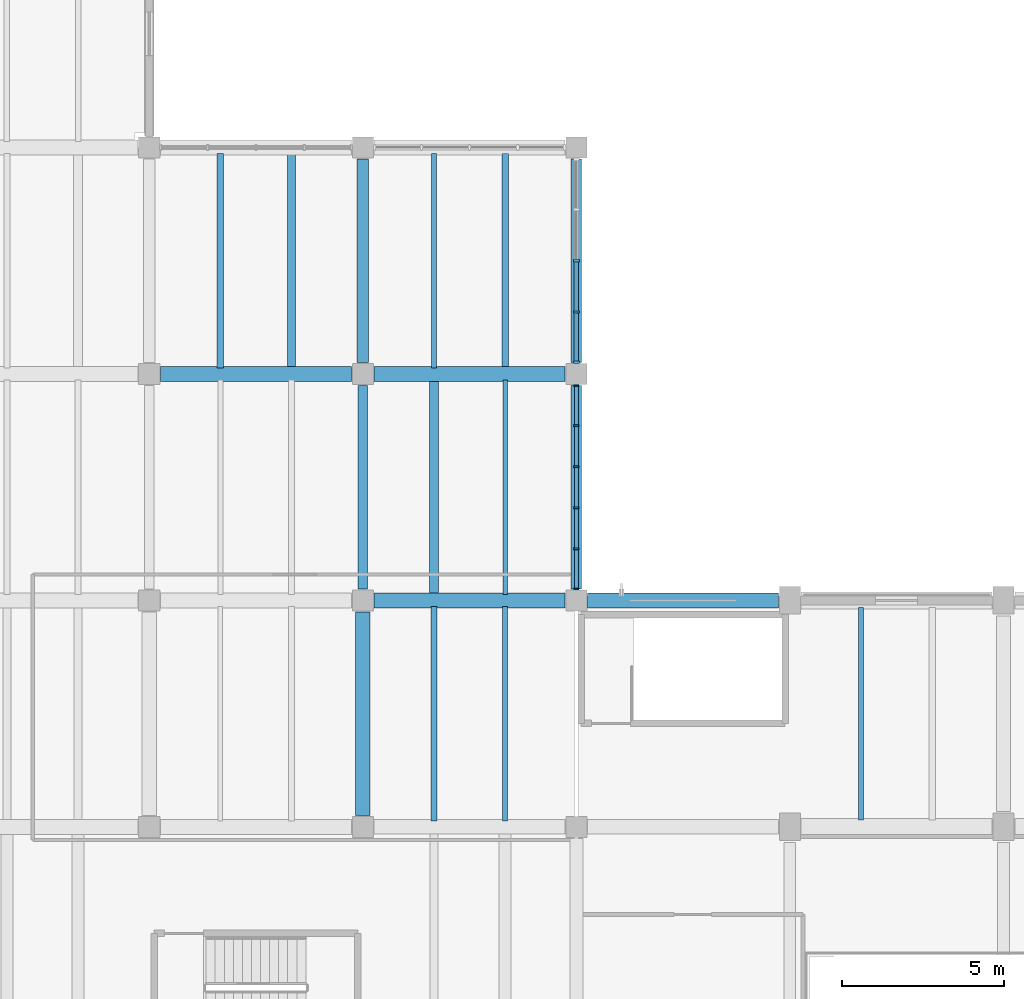
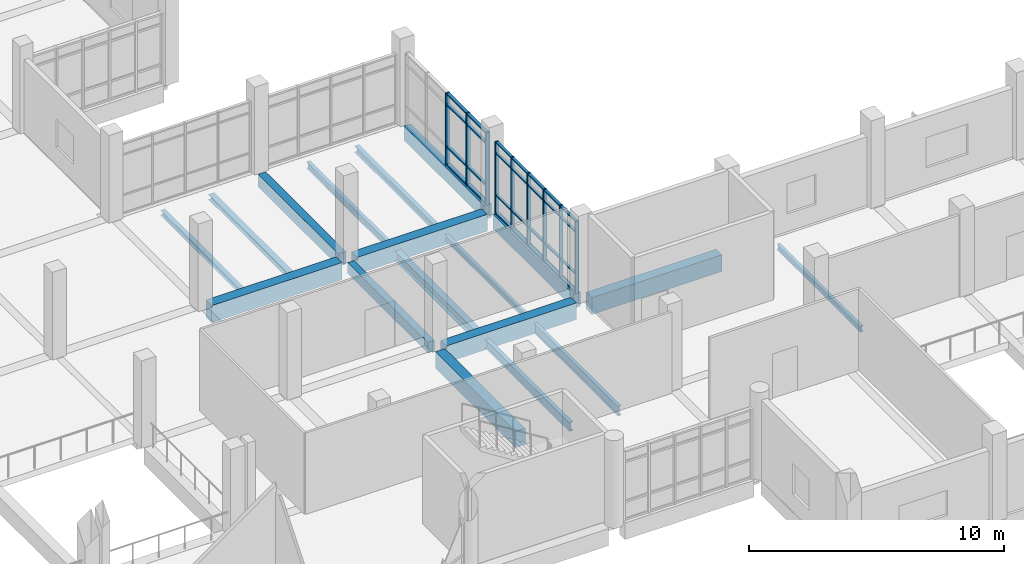
# One storey, part 16 of 68: 37 members, 18 beams, 2 elements without a shape of their own.
"""IFC4 building model written with IfcOpenShell, lengths in metres."""

from ifc_helpers import new_model, si_unit, direction, frame, origin, origin_2d, place, context, subcontext, project, spatial, rectangle, i_section, extrude, material, material_profile, profile_set, type_object, element, aggregate, save


model = new_model("IFC4")

# Units and contexts
model_context = context("Model", 3, precision=1e-05, world=origin(), true_north=direction((0.0, 1.0)))
body_context = subcontext(model_context, "Body", "Model", "MODEL_VIEW")
ifc_project = project(units=[si_unit("LENGTHUNIT", "METRE"), si_unit("AREAUNIT", "SQUARE_METRE"), si_unit("VOLUMEUNIT", "CUBIC_METRE"), si_unit("PLANEANGLEUNIT", "RADIAN"), si_unit("MASSUNIT", "GRAM", prefix="KILO")], contexts=[model_context])

# Site, building, storey
site_placement = place(None, origin())
site = spatial("IfcSite", under=ifc_project, at=site_placement, CompositionType="ELEMENT")
building_placement = place(site_placement, origin())
building = spatial("IfcBuilding", under=site, at=building_placement, Name="Ciguamira Faculty of Natural Sciences", CompositionType="ELEMENT")
storey_placement = place(building_placement, frame((0.0, 0.0, 4.199951171875)))
storey = spatial("IfcBuildingStorey", under=building, at=storey_placement, Name="L01", CompositionType="ELEMENT", Elevation=4.199951171875)

# Curtain wall, members
ifc_material_1 = material(Name="Anodized aluminium curtain wall", Category="aluminium")
curtain_wall_type_1 = type_object("IfcCurtainWallType", Name="CurtainWall_CW-04", PredefinedType="USERDEFINED", material=ifc_material_1)
curtain_wall_1_placement = place(storey_placement, origin())
curtain_wall_1 = element("IfcCurtainWall", 1, at=curtain_wall_1_placement, inside=storey, type_object=curtain_wall_type_1, Name="L01 unitised curtain wall 0052", ObjectType="UNITISED CURTAIN WALL", PredefinedType="USERDEFINED")
ifc_material_2 = material(Name="Anodized aluminium mullion", Category="aluminium")
ifc_material_profile_1 = material_profile(ifc_material_2, rectangle(XDim=0.06005859375, YDim=0.159912109375, at=origin_2d()), Name="ALU-MUL-60X160")
ifc_profile_set_1 = profile_set([ifc_material_profile_1], Name="Anodized aluminium mullion")
member_type_1 = type_object("IfcMemberType", Name="CWMullion_CWM-01", PredefinedType="MULLION", material=ifc_profile_set_1)
member_1_placement = place(storey_placement, frame((123.300048828125, 24.35498046875, 0.0), z_axis=(0.0, 0.0, 1.0), x_axis=(0.0, 1.0, 0.0)))
member_1 = element("IfcMember", 2, at=member_1_placement, type_object=member_type_1, Name="CW-04 mullion 1", PredefinedType="MULLION", context=body_context, shape_type="SweptSolid", body=[
    extrude(rectangle(XDim=0.06005859375, YDim=0.159912109375, at=origin_2d()), origin(), (0.0, 0.0, 1.0), 3.465087890625),
])
member_2_placement = place(storey_placement, frame((123.300048828125, 25.594970703125, 0.0), z_axis=(0.0, 0.0, 1.0), x_axis=(0.0, 1.0, 0.0)))
member_2 = element("IfcMember", 3, at=member_2_placement, type_object=member_type_1, Name="CW-04 mullion 2", PredefinedType="MULLION", context=body_context, shape_type="SweptSolid", body=[
    extrude(rectangle(XDim=0.06005859375, YDim=0.159912109375, at=origin_2d()), origin(), (0.0, 0.0, 1.0), 3.465087890625),
])
member_3_placement = place(storey_placement, frame((123.300048828125, 26.864990234375, 0.0), z_axis=(0.0, 0.0, 1.0), x_axis=(0.0, 1.0, 0.0)))
member_3 = element("IfcMember", 4, at=member_3_placement, type_object=member_type_1, Name="CW-04 mullion 3", PredefinedType="MULLION", context=body_context, shape_type="SweptSolid", body=[
    extrude(rectangle(XDim=0.06005859375, YDim=0.159912109375, at=origin_2d()), origin(), (0.0, 0.0, 1.0), 3.465087890625),
])
member_4_placement = place(storey_placement, frame((123.300048828125, 28.135009765625, 0.0), z_axis=(0.0, 0.0, 1.0), x_axis=(0.0, 1.0, 0.0)))
member_4 = element("IfcMember", 5, at=member_4_placement, type_object=member_type_1, Name="CW-04 mullion 4", PredefinedType="MULLION", context=body_context, shape_type="SweptSolid", body=[
    extrude(rectangle(XDim=0.06005859375, YDim=0.159912109375, at=origin_2d()), origin(), (0.0, 0.0, 1.0), 3.465087890625),
])
member_5_placement = place(storey_placement, frame((123.300048828125, 29.405029296875, 0.0), z_axis=(0.0, 0.0, 1.0), x_axis=(0.0, 1.0, 0.0)))
member_5 = element("IfcMember", 6, at=member_5_placement, type_object=member_type_1, Name="CW-04 mullion 5", PredefinedType="MULLION", context=body_context, shape_type="SweptSolid", body=[
    extrude(rectangle(XDim=0.06005859375, YDim=0.159912109375, at=origin_2d()), origin(), (0.0, 0.0, 1.0), 3.465087890625),
])
member_6_placement = place(storey_placement, frame((123.300048828125, 30.64501953125, 0.0), z_axis=(0.0, 0.0, 1.0), x_axis=(0.0, 1.0, 0.0)))
member_6 = element("IfcMember", 7, at=member_6_placement, type_object=member_type_1, Name="CW-04 mullion 6", PredefinedType="MULLION", context=body_context, shape_type="SweptSolid", body=[
    extrude(rectangle(XDim=0.06005859375, YDim=0.159912109375, at=origin_2d()), origin(), (0.0, 0.0, 1.0), 3.465087890625),
])

curtain_wall_type_2 = type_object("IfcCurtainWallType", Name="CurtainWall_CW-05", PredefinedType="USERDEFINED", material=ifc_material_1)
curtain_wall_2_placement = place(storey_placement, origin())
curtain_wall_2 = element("IfcCurtainWall", 8, at=curtain_wall_2_placement, inside=storey, type_object=curtain_wall_type_2, Name="L01 unitised curtain wall 0053", ObjectType="UNITISED CURTAIN WALL", PredefinedType="USERDEFINED")
ifc_material_profile_2 = material_profile(ifc_material_2, rectangle(XDim=0.070068359375, YDim=0.179931640625, at=origin_2d()), Name="ALU-MUL-70X180")
ifc_profile_set_2 = profile_set([ifc_material_profile_2], Name="Anodized aluminium mullion")
member_type_2 = type_object("IfcMemberType", Name="CWMullion_CWM-02", PredefinedType="MULLION", material=ifc_profile_set_2)
member_7_placement = place(storey_placement, frame((123.300048828125, 31.360107421875, 0.0), z_axis=(0.0, 0.0, 1.0), x_axis=(0.0, 1.0, 0.0)))
member_7 = element("IfcMember", 9, at=member_7_placement, type_object=member_type_2, Name="CW-05 mullion 1", PredefinedType="MULLION", context=body_context, shape_type="SweptSolid", body=[
    extrude(rectangle(XDim=0.070068359375, YDim=0.179931640625, at=origin_2d()), origin(), (0.0, 0.0, 1.0), 3.465087890625),
])
member_8_placement = place(storey_placement, frame((123.300048828125, 32.91259765625, 0.0), z_axis=(0.0, 0.0, 1.0), x_axis=(0.0, 1.0, 0.0)))
member_8 = element("IfcMember", 10, at=member_8_placement, type_object=member_type_2, Name="CW-05 mullion 2", PredefinedType="MULLION", context=body_context, shape_type="SweptSolid", body=[
    extrude(rectangle(XDim=0.070068359375, YDim=0.179931640625, at=origin_2d()), origin(), (0.0, 0.0, 1.0), 3.465087890625),
])
member_9_placement = place(storey_placement, frame((123.300048828125, 34.5, 0.0), z_axis=(0.0, 0.0, 1.0), x_axis=(0.0, 1.0, 0.0)))
member_9 = element("IfcMember", 11, at=member_9_placement, type_object=member_type_2, Name="CW-05 mullion 3", PredefinedType="MULLION", context=body_context, shape_type="SweptSolid", body=[
    extrude(rectangle(XDim=0.070068359375, YDim=0.179931640625, at=origin_2d()), origin(), (0.0, 0.0, 1.0), 3.465087890625),
])

# Member
ifc_material_3 = material(Name="Anodized aluminium transom", Category="aluminium")
ifc_material_profile_3 = material_profile(ifc_material_3, rectangle(XDim=0.06005859375, YDim=0.1201171875, at=origin_2d()), Name="ALU-TRN-60X120")
ifc_profile_set_3 = profile_set([ifc_material_profile_3], Name="Anodized aluminium transom")
member_type_3 = type_object("IfcMemberType", Name="CWTransom_CWT-01", PredefinedType="USERDEFINED", material=ifc_profile_set_3)
member_10_placement = place(storey_placement, frame((123.300048828125, 24.385009765625, 0.030029296875), z_axis=(0.0, 1.0, 0.0), x_axis=(0.0, 0.0, 1.0)))
member_10 = element("IfcMember", 12, at=member_10_placement, type_object=member_type_3, Name="CW-04 transom 1.1", ObjectType="TRANSOM", PredefinedType="USERDEFINED", context=body_context, shape_type="SweptSolid", body=[
    extrude(rectangle(XDim=0.06005859375, YDim=0.1201171875, at=origin_2d()), origin(), (0.0, 0.0, 1.0), 1.179931640625),
])

member_11_placement = place(storey_placement, frame((123.300048828125, 24.385009765625, 0.900146484375), z_axis=(0.0, 1.0, 0.0), x_axis=(0.0, 0.0, 1.0)))
member_11 = element("IfcMember", 13, at=member_11_placement, type_object=member_type_3, Name="CW-04 transom 1.2", ObjectType="TRANSOM", PredefinedType="USERDEFINED", context=body_context, shape_type="SweptSolid", body=[
    extrude(rectangle(XDim=0.06005859375, YDim=0.1201171875, at=origin_2d()), origin(), (0.0, 0.0, 1.0), 1.179931640625),
])

member_12_placement = place(storey_placement, frame((123.300048828125, 24.385009765625, 2.9150390625), z_axis=(0.0, 1.0, 0.0), x_axis=(0.0, 0.0, 1.0)))
member_12 = element("IfcMember", 14, at=member_12_placement, type_object=member_type_3, Name="CW-04 transom 1.3", ObjectType="TRANSOM", PredefinedType="USERDEFINED", context=body_context, shape_type="SweptSolid", body=[
    extrude(rectangle(XDim=0.06005859375, YDim=0.1201171875, at=origin_2d()), origin(), (0.0, 0.0, 1.0), 1.179931640625),
])

member_13_placement = place(storey_placement, frame((123.300048828125, 24.385009765625, 3.43505859375), z_axis=(0.0, 1.0, 0.0), x_axis=(0.0, 0.0, 1.0)))
member_13 = element("IfcMember", 15, at=member_13_placement, type_object=member_type_3, Name="CW-04 transom 1.4", ObjectType="TRANSOM", PredefinedType="USERDEFINED", context=body_context, shape_type="SweptSolid", body=[
    extrude(rectangle(XDim=0.06005859375, YDim=0.1201171875, at=origin_2d()), origin(), (0.0, 0.0, 1.0), 1.179931640625),
])

member_14_placement = place(storey_placement, frame((123.300048828125, 25.625, 0.030029296875), z_axis=(0.0, 1.0, 0.0), x_axis=(0.0, 0.0, 1.0)))
member_14 = element("IfcMember", 16, at=member_14_placement, type_object=member_type_3, Name="CW-04 transom 2.1", ObjectType="TRANSOM", PredefinedType="USERDEFINED", context=body_context, shape_type="SweptSolid", body=[
    extrude(rectangle(XDim=0.06005859375, YDim=0.1201171875, at=origin_2d()), origin(), (0.0, 0.0, 1.0), 1.2099609375),
])

member_15_placement = place(storey_placement, frame((123.300048828125, 25.625, 0.900146484375), z_axis=(0.0, 1.0, 0.0), x_axis=(0.0, 0.0, 1.0)))
member_15 = element("IfcMember", 17, at=member_15_placement, type_object=member_type_3, Name="CW-04 transom 2.2", ObjectType="TRANSOM", PredefinedType="USERDEFINED", context=body_context, shape_type="SweptSolid", body=[
    extrude(rectangle(XDim=0.06005859375, YDim=0.1201171875, at=origin_2d()), origin(), (0.0, 0.0, 1.0), 1.2099609375),
])

member_16_placement = place(storey_placement, frame((123.300048828125, 25.625, 2.9150390625), z_axis=(0.0, 1.0, 0.0), x_axis=(0.0, 0.0, 1.0)))
member_16 = element("IfcMember", 18, at=member_16_placement, type_object=member_type_3, Name="CW-04 transom 2.3", ObjectType="TRANSOM", PredefinedType="USERDEFINED", context=body_context, shape_type="SweptSolid", body=[
    extrude(rectangle(XDim=0.06005859375, YDim=0.1201171875, at=origin_2d()), origin(), (0.0, 0.0, 1.0), 1.2099609375),
])

member_17_placement = place(storey_placement, frame((123.300048828125, 25.625, 3.43505859375), z_axis=(0.0, 1.0, 0.0), x_axis=(0.0, 0.0, 1.0)))
member_17 = element("IfcMember", 19, at=member_17_placement, type_object=member_type_3, Name="CW-04 transom 2.4", ObjectType="TRANSOM", PredefinedType="USERDEFINED", context=body_context, shape_type="SweptSolid", body=[
    extrude(rectangle(XDim=0.06005859375, YDim=0.1201171875, at=origin_2d()), origin(), (0.0, 0.0, 1.0), 1.2099609375),
])

member_18_placement = place(storey_placement, frame((123.300048828125, 26.89501953125, 0.030029296875), z_axis=(0.0, 1.0, 0.0), x_axis=(0.0, 0.0, 1.0)))
member_18 = element("IfcMember", 20, at=member_18_placement, type_object=member_type_3, Name="CW-04 transom 3.1", ObjectType="TRANSOM", PredefinedType="USERDEFINED", context=body_context, shape_type="SweptSolid", body=[
    extrude(rectangle(XDim=0.06005859375, YDim=0.1201171875, at=origin_2d()), origin(), (0.0, 0.0, 1.0), 1.2099609375),
])

member_19_placement = place(storey_placement, frame((123.300048828125, 26.89501953125, 0.900146484375), z_axis=(0.0, 1.0, 0.0), x_axis=(0.0, 0.0, 1.0)))
member_19 = element("IfcMember", 21, at=member_19_placement, type_object=member_type_3, Name="CW-04 transom 3.2", ObjectType="TRANSOM", PredefinedType="USERDEFINED", context=body_context, shape_type="SweptSolid", body=[
    extrude(rectangle(XDim=0.06005859375, YDim=0.1201171875, at=origin_2d()), origin(), (0.0, 0.0, 1.0), 1.2099609375),
])

member_20_placement = place(storey_placement, frame((123.300048828125, 26.89501953125, 2.9150390625), z_axis=(0.0, 1.0, 0.0), x_axis=(0.0, 0.0, 1.0)))
member_20 = element("IfcMember", 22, at=member_20_placement, type_object=member_type_3, Name="CW-04 transom 3.3", ObjectType="TRANSOM", PredefinedType="USERDEFINED", context=body_context, shape_type="SweptSolid", body=[
    extrude(rectangle(XDim=0.06005859375, YDim=0.1201171875, at=origin_2d()), origin(), (0.0, 0.0, 1.0), 1.2099609375),
])

member_21_placement = place(storey_placement, frame((123.300048828125, 26.89501953125, 3.43505859375), z_axis=(0.0, 1.0, 0.0), x_axis=(0.0, 0.0, 1.0)))
member_21 = element("IfcMember", 23, at=member_21_placement, type_object=member_type_3, Name="CW-04 transom 3.4", ObjectType="TRANSOM", PredefinedType="USERDEFINED", context=body_context, shape_type="SweptSolid", body=[
    extrude(rectangle(XDim=0.06005859375, YDim=0.1201171875, at=origin_2d()), origin(), (0.0, 0.0, 1.0), 1.2099609375),
])

member_22_placement = place(storey_placement, frame((123.300048828125, 28.1650390625, 0.030029296875), z_axis=(0.0, 1.0, 0.0), x_axis=(0.0, 0.0, 1.0)))
member_22 = element("IfcMember", 24, at=member_22_placement, type_object=member_type_3, Name="CW-04 transom 4.1", ObjectType="TRANSOM", PredefinedType="USERDEFINED", context=body_context, shape_type="SweptSolid", body=[
    extrude(rectangle(XDim=0.06005859375, YDim=0.1201171875, at=origin_2d()), origin(), (0.0, 0.0, 1.0), 1.2099609375),
])

member_23_placement = place(storey_placement, frame((123.300048828125, 28.1650390625, 0.900146484375), z_axis=(0.0, 1.0, 0.0), x_axis=(0.0, 0.0, 1.0)))
member_23 = element("IfcMember", 25, at=member_23_placement, type_object=member_type_3, Name="CW-04 transom 4.2", ObjectType="TRANSOM", PredefinedType="USERDEFINED", context=body_context, shape_type="SweptSolid", body=[
    extrude(rectangle(XDim=0.06005859375, YDim=0.1201171875, at=origin_2d()), origin(), (0.0, 0.0, 1.0), 1.2099609375),
])

member_24_placement = place(storey_placement, frame((123.300048828125, 28.1650390625, 2.9150390625), z_axis=(0.0, 1.0, 0.0), x_axis=(0.0, 0.0, 1.0)))
member_24 = element("IfcMember", 26, at=member_24_placement, type_object=member_type_3, Name="CW-04 transom 4.3", ObjectType="TRANSOM", PredefinedType="USERDEFINED", context=body_context, shape_type="SweptSolid", body=[
    extrude(rectangle(XDim=0.06005859375, YDim=0.1201171875, at=origin_2d()), origin(), (0.0, 0.0, 1.0), 1.2099609375),
])

member_25_placement = place(storey_placement, frame((123.300048828125, 28.1650390625, 3.43505859375), z_axis=(0.0, 1.0, 0.0), x_axis=(0.0, 0.0, 1.0)))
member_25 = element("IfcMember", 27, at=member_25_placement, type_object=member_type_3, Name="CW-04 transom 4.4", ObjectType="TRANSOM", PredefinedType="USERDEFINED", context=body_context, shape_type="SweptSolid", body=[
    extrude(rectangle(XDim=0.06005859375, YDim=0.1201171875, at=origin_2d()), origin(), (0.0, 0.0, 1.0), 1.2099609375),
])

member_26_placement = place(storey_placement, frame((123.300048828125, 29.43505859375, 0.030029296875), z_axis=(0.0, 1.0, 0.0), x_axis=(0.0, 0.0, 1.0)))
member_26 = element("IfcMember", 28, at=member_26_placement, type_object=member_type_3, Name="CW-04 transom 5.1", ObjectType="TRANSOM", PredefinedType="USERDEFINED", context=body_context, shape_type="SweptSolid", body=[
    extrude(rectangle(XDim=0.06005859375, YDim=0.1201171875, at=origin_2d()), origin(), (0.0, 0.0, 1.0), 1.179931640625),
])

member_27_placement = place(storey_placement, frame((123.300048828125, 29.43505859375, 0.900146484375), z_axis=(0.0, 1.0, 0.0), x_axis=(0.0, 0.0, 1.0)))
member_27 = element("IfcMember", 29, at=member_27_placement, type_object=member_type_3, Name="CW-04 transom 5.2", ObjectType="TRANSOM", PredefinedType="USERDEFINED", context=body_context, shape_type="SweptSolid", body=[
    extrude(rectangle(XDim=0.06005859375, YDim=0.1201171875, at=origin_2d()), origin(), (0.0, 0.0, 1.0), 1.179931640625),
])

member_28_placement = place(storey_placement, frame((123.300048828125, 29.43505859375, 2.9150390625), z_axis=(0.0, 1.0, 0.0), x_axis=(0.0, 0.0, 1.0)))
member_28 = element("IfcMember", 30, at=member_28_placement, type_object=member_type_3, Name="CW-04 transom 5.3", ObjectType="TRANSOM", PredefinedType="USERDEFINED", context=body_context, shape_type="SweptSolid", body=[
    extrude(rectangle(XDim=0.06005859375, YDim=0.1201171875, at=origin_2d()), origin(), (0.0, 0.0, 1.0), 1.179931640625),
])

member_29_placement = place(storey_placement, frame((123.300048828125, 29.43505859375, 3.43505859375), z_axis=(0.0, 1.0, 0.0), x_axis=(0.0, 0.0, 1.0)))
member_29 = element("IfcMember", 31, at=member_29_placement, type_object=member_type_3, Name="CW-04 transom 5.4", ObjectType="TRANSOM", PredefinedType="USERDEFINED", context=body_context, shape_type="SweptSolid", body=[
    extrude(rectangle(XDim=0.06005859375, YDim=0.1201171875, at=origin_2d()), origin(), (0.0, 0.0, 1.0), 1.179931640625),
])

aggregate(curtain_wall_1, [member_1, member_2, member_3, member_4, member_5, member_6, member_10, member_11, member_12, member_13, member_14, member_15, member_16, member_17, member_18, member_19, member_20, member_21, member_22, member_23, member_24, member_25, member_26, member_27, member_28, member_29])

ifc_material_profile_4 = material_profile(ifc_material_3, rectangle(XDim=0.070068359375, YDim=0.139892578125, at=origin_2d()), Name="ALU-TRN-70X140")
ifc_profile_set_4 = profile_set([ifc_material_profile_4], Name="Anodized aluminium transom")
member_type_4 = type_object("IfcMemberType", Name="CWTransom_CWT-02", PredefinedType="USERDEFINED", material=ifc_profile_set_4)
member_30_placement = place(storey_placement, frame((123.300048828125, 31.39501953125, 0.03515625), z_axis=(0.0, 1.0, 0.0), x_axis=(0.0, 0.0, 1.0)))
member_30 = element("IfcMember", 32, at=member_30_placement, type_object=member_type_4, Name="CW-05 transom 1.1", ObjectType="TRANSOM", PredefinedType="USERDEFINED", context=body_context, shape_type="SweptSolid", body=[
    extrude(rectangle(XDim=0.070068359375, YDim=0.139892578125, at=origin_2d()), origin(), (0.0, 0.0, 1.0), 1.482421875),
])

member_31_placement = place(storey_placement, frame((123.300048828125, 31.39501953125, 0.900146484375), z_axis=(0.0, 1.0, 0.0), x_axis=(0.0, 0.0, 1.0)))
member_31 = element("IfcMember", 33, at=member_31_placement, type_object=member_type_4, Name="CW-05 transom 1.2", ObjectType="TRANSOM", PredefinedType="USERDEFINED", context=body_context, shape_type="SweptSolid", body=[
    extrude(rectangle(XDim=0.070068359375, YDim=0.139892578125, at=origin_2d()), origin(), (0.0, 0.0, 1.0), 1.482421875),
])

member_32_placement = place(storey_placement, frame((123.300048828125, 31.39501953125, 2.9150390625), z_axis=(0.0, 1.0, 0.0), x_axis=(0.0, 0.0, 1.0)))
member_32 = element("IfcMember", 34, at=member_32_placement, type_object=member_type_4, Name="CW-05 transom 1.3", ObjectType="TRANSOM", PredefinedType="USERDEFINED", context=body_context, shape_type="SweptSolid", body=[
    extrude(rectangle(XDim=0.070068359375, YDim=0.139892578125, at=origin_2d()), origin(), (0.0, 0.0, 1.0), 1.482421875),
])

member_33_placement = place(storey_placement, frame((123.300048828125, 31.39501953125, 3.429931640625), z_axis=(0.0, 1.0, 0.0), x_axis=(0.0, 0.0, 1.0)))
member_33 = element("IfcMember", 35, at=member_33_placement, type_object=member_type_4, Name="CW-05 transom 1.4", ObjectType="TRANSOM", PredefinedType="USERDEFINED", context=body_context, shape_type="SweptSolid", body=[
    extrude(rectangle(XDim=0.070068359375, YDim=0.139892578125, at=origin_2d()), origin(), (0.0, 0.0, 1.0), 1.482421875),
])

member_34_placement = place(storey_placement, frame((123.300048828125, 32.947509765625, 0.03515625), z_axis=(0.0, 1.0, 0.0), x_axis=(0.0, 0.0, 1.0)))
member_34 = element("IfcMember", 36, at=member_34_placement, type_object=member_type_4, Name="CW-05 transom 2.1", ObjectType="TRANSOM", PredefinedType="USERDEFINED", context=body_context, shape_type="SweptSolid", body=[
    extrude(rectangle(XDim=0.070068359375, YDim=0.139892578125, at=origin_2d()), origin(), (0.0, 0.0, 1.0), 1.517578125),
])

member_35_placement = place(storey_placement, frame((123.300048828125, 32.947509765625, 0.900146484375), z_axis=(0.0, 1.0, 0.0), x_axis=(0.0, 0.0, 1.0)))
member_35 = element("IfcMember", 37, at=member_35_placement, type_object=member_type_4, Name="CW-05 transom 2.2", ObjectType="TRANSOM", PredefinedType="USERDEFINED", context=body_context, shape_type="SweptSolid", body=[
    extrude(rectangle(XDim=0.070068359375, YDim=0.139892578125, at=origin_2d()), origin(), (0.0, 0.0, 1.0), 1.517578125),
])

member_36_placement = place(storey_placement, frame((123.300048828125, 32.947509765625, 2.9150390625), z_axis=(0.0, 1.0, 0.0), x_axis=(0.0, 0.0, 1.0)))
member_36 = element("IfcMember", 38, at=member_36_placement, type_object=member_type_4, Name="CW-05 transom 2.3", ObjectType="TRANSOM", PredefinedType="USERDEFINED", context=body_context, shape_type="SweptSolid", body=[
    extrude(rectangle(XDim=0.070068359375, YDim=0.139892578125, at=origin_2d()), origin(), (0.0, 0.0, 1.0), 1.517578125),
])

member_37_placement = place(storey_placement, frame((123.300048828125, 32.947509765625, 3.429931640625), z_axis=(0.0, 1.0, 0.0), x_axis=(0.0, 0.0, 1.0)))
member_37 = element("IfcMember", 39, at=member_37_placement, type_object=member_type_4, Name="CW-05 transom 2.4", ObjectType="TRANSOM", PredefinedType="USERDEFINED", context=body_context, shape_type="SweptSolid", body=[
    extrude(rectangle(XDim=0.070068359375, YDim=0.139892578125, at=origin_2d()), origin(), (0.0, 0.0, 1.0), 1.517578125),
])

aggregate(curtain_wall_2, [member_7, member_8, member_9, member_30, member_31, member_32, member_33, member_34, member_35, member_36, member_37])

# Beams
ifc_material_4 = material(Name="Concrete C40/50", Category="concrete")
ifc_material_profile_5 = material_profile(ifc_material_4, rectangle(XDim=0.4599609375, YDim=0.820068359375, at=origin_2d()), Name="RC-BM-460X820")
ifc_profile_set_5 = profile_set([ifc_material_profile_5], Name="Concrete C40/50")
beam_type_1 = type_object("IfcBeamType", Name="RCBeam_BG-04_RC-BM-460X820", PredefinedType="BEAM", material=ifc_profile_set_5)
beam_1_placement = place(storey_placement, frame((110.449951171875, 31.0, -0.409912109375), z_axis=(1.0, 0.0, 0.0), x_axis=(0.0, 1.0, 0.0)))
element("IfcBeam", 40, at=beam_1_placement, inside=storey, type_object=beam_type_1, Name="L01 RC girder EW-0444", PredefinedType="BEAM", context=body_context, shape_type="SweptSolid", body=[
    extrude(rectangle(XDim=0.4599609375, YDim=0.820068359375, at=origin_2d()), origin(), (0.0, 0.0, 1.0), 5.900146484375),
])
ifc_material_profile_6 = material_profile(ifc_material_4, rectangle(XDim=0.449951171875, YDim=0.800048828125, at=origin_2d()), Name="RC-BM-450X800")
ifc_profile_set_6 = profile_set([ifc_material_profile_6], Name="Concrete C40/50")
beam_type_2 = type_object("IfcBeamType", Name="RCBeam_BG-05_RC-BM-450X800", PredefinedType="BEAM", material=ifc_profile_set_6)
beam_2_placement = place(storey_placement, frame((117.050048828125, 24.0, -0.39990234375), z_axis=(1.0, 0.0, 0.0), x_axis=(0.0, 1.0, 0.0)))
element("IfcBeam", 41, at=beam_2_placement, inside=storey, type_object=beam_type_2, Name="L01 RC girder EW-0427", PredefinedType="BEAM", context=body_context, shape_type="SweptSolid", body=[
    extrude(rectangle(XDim=0.449951171875, YDim=0.800048828125, at=origin_2d()), origin(), (0.0, 0.0, 1.0), 5.89990234375),
])
beam_3_placement = place(storey_placement, frame((123.64990234375, 24.0, -0.39990234375), z_axis=(1.0, 0.0, 0.0), x_axis=(0.0, 1.0, 0.0)))
element("IfcBeam", 42, at=beam_3_placement, inside=storey, type_object=beam_type_2, Name="L01 RC girder EW-0428", PredefinedType="BEAM", context=body_context, shape_type="SweptSolid", body=[
    extrude(rectangle(XDim=0.449951171875, YDim=0.800048828125, at=origin_2d()), origin(), (0.0, 0.0, 1.0), 5.900146484375),
])
beam_4_placement = place(storey_placement, frame((117.050048828125, 31.0, -0.39990234375), z_axis=(1.0, 0.0, 0.0), x_axis=(0.0, 1.0, 0.0)))
element("IfcBeam", 43, at=beam_4_placement, inside=storey, type_object=beam_type_2, Name="L01 RC girder EW-0445", PredefinedType="BEAM", context=body_context, shape_type="SweptSolid", body=[
    extrude(rectangle(XDim=0.449951171875, YDim=0.800048828125, at=origin_2d()), origin(), (0.0, 0.0, 1.0), 5.89990234375),
])
ifc_material_profile_7 = material_profile(ifc_material_4, rectangle(XDim=0.43994140625, YDim=0.780029296875, at=origin_2d()), Name="RC-BM-440X780")
ifc_profile_set_7 = profile_set([ifc_material_profile_7], Name="Concrete C40/50")
beam_type_3 = type_object("IfcBeamType", Name="RCBeam_BG-06_RC-BM-440X780", PredefinedType="BEAM", material=ifc_profile_set_7)
beam_5_placement = place(storey_placement, frame((116.699951171875, 17.35009765625, -0.389892578125), z_axis=(0.0, 1.0, 0.0), x_axis=(-1.0, 0.0, 0.0)))
element("IfcBeam", 44, at=beam_5_placement, inside=storey, type_object=beam_type_3, Name="L01 girder NS-0677", PredefinedType="BEAM", context=body_context, shape_type="SweptSolid", body=[
    extrude(rectangle(XDim=0.43994140625, YDim=0.780029296875, at=origin_2d()), origin(), (0.0, 0.0, 1.0), 6.2998046875),
])
ifc_material_profile_8 = material_profile(ifc_material_4, rectangle(XDim=0.35009765625, YDim=0.60009765625, at=origin_2d()), Name="RC-BM-350X600")
ifc_profile_set_8 = profile_set([ifc_material_profile_8], Name="Concrete C40/50")
beam_type_4 = type_object("IfcBeamType", Name="RCBeam_BG-11_RC-BM-350X600", PredefinedType="BEAM", material=ifc_profile_set_8)
beam_6_placement = place(storey_placement, frame((116.699951171875, 31.35009765625, -0.300048828125), z_axis=(0.0, 1.0, 0.0), x_axis=(-1.0, 0.0, 0.0)))
element("IfcBeam", 45, at=beam_6_placement, inside=storey, type_object=beam_type_4, Name="L01 girder NS-0679", PredefinedType="BEAM", context=body_context, shape_type="SweptSolid", body=[
    extrude(rectangle(XDim=0.35009765625, YDim=0.60009765625, at=origin_2d()), origin(), (0.0, 0.0, 1.0), 6.2998046875),
])
ifc_material_profile_9 = material_profile(ifc_material_4, rectangle(XDim=0.300048828125, YDim=0.52001953125, at=origin_2d()), Name="RC-BM-300X520")
ifc_profile_set_9 = profile_set([ifc_material_profile_9], Name="Concrete C40/50")
beam_type_5 = type_object("IfcBeamType", Name="RCBeam_BG-13_RC-BM-300X520", PredefinedType="BEAM", material=ifc_profile_set_9)
beam_7_placement = place(storey_placement, frame((116.699951171875, 24.35009765625, -0.260009765625), z_axis=(0.0, 1.0, 0.0), x_axis=(-1.0, 0.0, 0.0)))
element("IfcBeam", 46, at=beam_7_placement, inside=storey, type_object=beam_type_5, Name="L01 girder NS-0678", PredefinedType="BEAM", context=body_context, shape_type="SweptSolid", body=[
    extrude(rectangle(XDim=0.300048828125, YDim=0.52001953125, at=origin_2d()), origin(), (0.0, 0.0, 1.0), 6.2998046875),
])
ifc_material_5 = material(Name="Precast concrete C40/50", Category="concrete")
ifc_material_profile_10 = material_profile(ifc_material_5, rectangle(XDim=0.320068359375, YDim=0.679931640625, at=origin_2d()), Name="RC-SP-320X680")
ifc_profile_set_10 = profile_set([ifc_material_profile_10], Name="Precast concrete C40/50")
beam_type_6 = type_object("IfcBeamType", Name="RCBeam_SP-02_RC-SP-320X680", PredefinedType="SPANDREL", material=ifc_profile_set_10)
for number, where, z_axis, x_axis, name in (
    (47, (123.300048828125, 24.35009765625, -0.33984375), (0.0, 1.0, 0.0), (-1.0, 0.0, 0.0), "L01 girder NS-0691"),
    (48, (123.300048828125, 31.35009765625, -0.33984375), (0.0, 1.0, 0.0), (-1.0, 0.0, 0.0), "L01 girder NS-0692"),
):
    element("IfcBeam", number, at=place(storey_placement, frame(where, z_axis=z_axis, x_axis=x_axis)), inside=storey, type_object=beam_type_6, Name=name, PredefinedType="SPANDREL", context=body_context, shape_type="SweptSolid", body=[
        extrude(rectangle(XDim=0.320068359375, YDim=0.679931640625, at=origin_2d()), origin(), (0.0, 0.0, 1.0), 6.2998046875),
    ])
ifc_material_6 = material(Name="Steel ASTM A992 Grade 50", Category="steel")
ifc_material_profile_11 = material_profile(ifc_material_6, i_section(OverallWidth=0.14599609375, OverallDepth=0.259033203125, WebThickness=0.006103515625, FlangeThickness=0.009033203125, at=origin_2d()), Name="W10X22")
ifc_profile_set_11 = profile_set([ifc_material_profile_11], Name="Steel ASTM A992 Grade 50")
beam_type_7 = type_object("IfcBeamType", Name="SteelJoist_SJ-01_W10X22", PredefinedType="JOIST", material=ifc_profile_set_11)
beam_8_placement = place(storey_placement, frame((121.10009765625, 24.18505859375, -0.429443359375), z_axis=(0.0, 1.0, 0.0), x_axis=(-1.0, 0.0, 0.0)))
element("IfcBeam", 49, at=beam_8_placement, inside=storey, type_object=beam_type_7, Name="L01 composite steel joist 00632", PredefinedType="JOIST", context=body_context, shape_type="SweptSolid", body=[
    extrude(i_section(OverallWidth=0.14599609375, OverallDepth=0.259033203125, WebThickness=0.006103515625, FlangeThickness=0.009033203125, at=origin_2d()), origin(), (0.0, 0.0, 1.0), 6.6298828125),
])
beam_9_placement = place(storey_placement, frame((132.10009765625, 17.219970703125, -0.4794921875), z_axis=(0.0, 1.0, 0.0), x_axis=(-1.0, 0.0, 0.0)))
element("IfcBeam", 50, at=beam_9_placement, inside=storey, type_object=beam_type_7, Name="L01 composite steel joist 00635", PredefinedType="JOIST", context=body_context, shape_type="SweptSolid", body=[
    extrude(i_section(OverallWidth=0.14599609375, OverallDepth=0.259033203125, WebThickness=0.006103515625, FlangeThickness=0.009033203125, at=origin_2d()), origin(), (0.0, 0.0, 1.0), 6.56005859375),
])
ifc_material_profile_12 = material_profile(ifc_material_6, i_section(OverallWidth=0.2021484375, OverallDepth=0.2470703125, WebThickness=0.00732421875, FlangeThickness=0.010986328125, at=origin_2d()), Name="W10X33")
ifc_profile_set_12 = profile_set([ifc_material_profile_12], Name="Steel ASTM A992 Grade 50")
beam_type_8 = type_object("IfcBeamType", Name="SteelJoist_SJ-02_W10X33", PredefinedType="JOIST", material=ifc_profile_set_12)
beam_10_placement = place(storey_placement, frame((112.300048828125, 31.18994140625, -0.423583984375), z_axis=(0.0, 1.0, 0.0), x_axis=(-1.0, 0.0, 0.0)))
element("IfcBeam", 51, at=beam_10_placement, inside=storey, type_object=beam_type_8, Name="L01 composite steel joist 00601", PredefinedType="JOIST", context=body_context, shape_type="SweptSolid", body=[
    extrude(i_section(OverallWidth=0.2021484375, OverallDepth=0.2470703125, WebThickness=0.00732421875, FlangeThickness=0.010986328125, at=origin_2d()), origin(), (0.0, 0.0, 1.0), 6.6201171875),
])
ifc_material_profile_13 = material_profile(ifc_material_6, i_section(OverallWidth=0.25390625, OverallDepth=0.25390625, WebThickness=0.008544921875, FlangeThickness=0.01416015625, at=origin_2d()), Name="W10X49")
ifc_profile_set_13 = profile_set([ifc_material_profile_13], Name="Steel ASTM A992 Grade 50")
beam_type_9 = type_object("IfcBeamType", Name="SteelJoist_SJ-03_W10X49", PredefinedType="JOIST", material=ifc_profile_set_13)
beam_11_placement = place(storey_placement, frame((114.5, 31.18994140625, -0.427001953125), z_axis=(0.0, 1.0, 0.0), x_axis=(-1.0, 0.0, 0.0)))
element("IfcBeam", 52, at=beam_11_placement, inside=storey, type_object=beam_type_9, Name="L01 composite steel joist 00602", PredefinedType="JOIST", context=body_context, shape_type="SweptSolid", body=[
    extrude(i_section(OverallWidth=0.25390625, OverallDepth=0.25390625, WebThickness=0.008544921875, FlangeThickness=0.01416015625, at=origin_2d()), origin(), (0.0, 0.0, 1.0), 6.6201171875),
])
ifc_material_profile_14 = material_profile(ifc_material_6, i_section(OverallWidth=0.16650390625, OverallDepth=0.3173828125, WebThickness=0.007568359375, FlangeThickness=0.01318359375, at=origin_2d()), Name="W12X35")
ifc_profile_set_14 = profile_set([ifc_material_profile_14], Name="Steel ASTM A992 Grade 50")
beam_type_10 = type_object("IfcBeamType", Name="SteelJoist_SJ-05_W12X35", PredefinedType="JOIST", material=ifc_profile_set_14)
beam_12_placement = place(storey_placement, frame((118.89990234375, 31.18505859375, -0.458740234375), z_axis=(0.0, 1.0, 0.0), x_axis=(-1.0, 0.0, 0.0)))
element("IfcBeam", 53, at=beam_12_placement, inside=storey, type_object=beam_type_10, Name="L01 composite steel joist 00633", PredefinedType="JOIST", context=body_context, shape_type="SweptSolid", body=[
    extrude(i_section(OverallWidth=0.16650390625, OverallDepth=0.3173828125, WebThickness=0.007568359375, FlangeThickness=0.01318359375, at=origin_2d()), origin(), (0.0, 0.0, 1.0), 6.6298828125),
])
ifc_material_profile_15 = material_profile(ifc_material_6, i_section(OverallWidth=0.20458984375, OverallDepth=0.307373046875, WebThickness=0.008544921875, FlangeThickness=0.0146484375, at=origin_2d()), Name="W12X45")
ifc_profile_set_15 = profile_set([ifc_material_profile_15], Name="Steel ASTM A992 Grade 50")
beam_type_11 = type_object("IfcBeamType", Name="SteelJoist_SJ-06_W12X45", PredefinedType="JOIST", material=ifc_profile_set_15)
beam_13_placement = place(storey_placement, frame((121.10009765625, 31.18505859375, -0.45361328125), z_axis=(0.0, 1.0, 0.0), x_axis=(-1.0, 0.0, 0.0)))
element("IfcBeam", 54, at=beam_13_placement, inside=storey, type_object=beam_type_11, Name="L01 composite steel joist 00634", PredefinedType="JOIST", context=body_context, shape_type="SweptSolid", body=[
    extrude(i_section(OverallWidth=0.20458984375, OverallDepth=0.307373046875, WebThickness=0.008544921875, FlangeThickness=0.0146484375, at=origin_2d()), origin(), (0.0, 0.0, 1.0), 6.6298828125),
])
ifc_material_profile_16 = material_profile(ifc_material_6, i_section(OverallWidth=0.180908203125, OverallDepth=0.41650390625, WebThickness=0.010986328125, FlangeThickness=0.01806640625, at=origin_2d()), Name="W16X57")
ifc_profile_set_16 = profile_set([ifc_material_profile_16], Name="Steel ASTM A992 Grade 50")
beam_type_12 = type_object("IfcBeamType", Name="SteelJoist_SJ-20_W16X57", PredefinedType="JOIST", material=ifc_profile_set_16)
beam_14_placement = place(storey_placement, frame((118.89990234375, 17.18505859375, -0.50830078125), z_axis=(0.0, 1.0, 0.0), x_axis=(-1.0, 0.0, 0.0)))
element("IfcBeam", 55, at=beam_14_placement, inside=storey, type_object=beam_type_12, Name="L01 composite steel joist 00629", PredefinedType="JOIST", context=body_context, shape_type="SweptSolid", body=[
    extrude(i_section(OverallWidth=0.180908203125, OverallDepth=0.41650390625, WebThickness=0.010986328125, FlangeThickness=0.01806640625, at=origin_2d()), origin(), (0.0, 0.0, 1.0), 6.6298828125),
])
ifc_material_profile_17 = material_profile(ifc_material_6, i_section(OverallWidth=0.15234375, OverallDepth=0.449462890625, WebThickness=0.007568359375, FlangeThickness=0.0107421875, at=origin_2d()), Name="W18X35")
ifc_profile_set_17 = profile_set([ifc_material_profile_17], Name="Steel ASTM A992 Grade 50")
beam_type_13 = type_object("IfcBeamType", Name="SteelJoist_SJ-21_W18X35", PredefinedType="JOIST", material=ifc_profile_set_17)
beam_15_placement = place(storey_placement, frame((121.10009765625, 17.18505859375, -0.524658203125), z_axis=(0.0, 1.0, 0.0), x_axis=(-1.0, 0.0, 0.0)))
element("IfcBeam", 56, at=beam_15_placement, inside=storey, type_object=beam_type_13, Name="L01 composite steel joist 00630", PredefinedType="JOIST", context=body_context, shape_type="SweptSolid", body=[
    extrude(i_section(OverallWidth=0.15234375, OverallDepth=0.449462890625, WebThickness=0.007568359375, FlangeThickness=0.0107421875, at=origin_2d()), origin(), (0.0, 0.0, 1.0), 6.6298828125),
])
ifc_material_profile_18 = material_profile(ifc_material_6, i_section(OverallWidth=0.279296875, OverallDepth=0.462158203125, WebThickness=0.0107421875, FlangeThickness=0.017333984375, at=origin_2d()), Name="W18X76")
ifc_profile_set_18 = profile_set([ifc_material_profile_18], Name="Steel ASTM A992 Grade 50")
beam_type_14 = type_object("IfcBeamType", Name="SteelJoist_SJ-25_W18X76", PredefinedType="JOIST", material=ifc_profile_set_18)
beam_16_placement = place(storey_placement, frame((118.89990234375, 24.18505859375, -0.531005859375), z_axis=(0.0, 1.0, 0.0), x_axis=(-1.0, 0.0, 0.0)))
element("IfcBeam", 57, at=beam_16_placement, inside=storey, type_object=beam_type_14, Name="L01 composite steel joist 00631", PredefinedType="JOIST", context=body_context, shape_type="SweptSolid", body=[
    extrude(i_section(OverallWidth=0.279296875, OverallDepth=0.462158203125, WebThickness=0.0107421875, FlangeThickness=0.017333984375, at=origin_2d()), origin(), (0.0, 0.0, 1.0), 6.6298828125),
])

save(model, "model.ifc")
